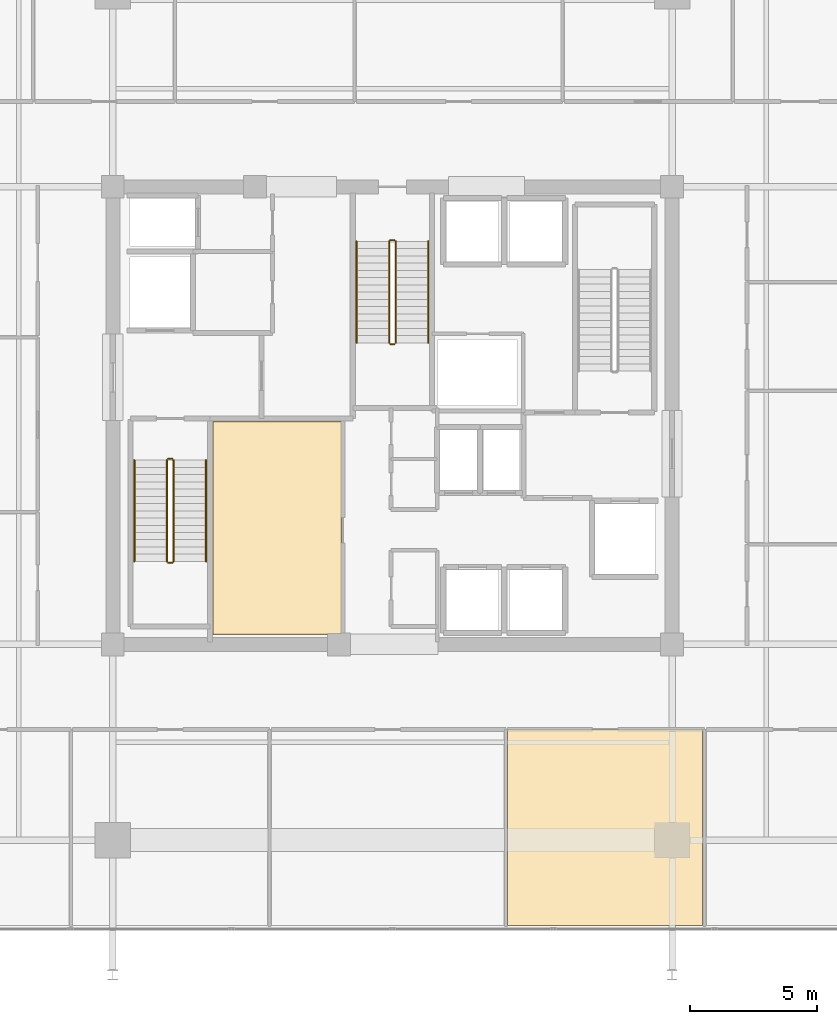
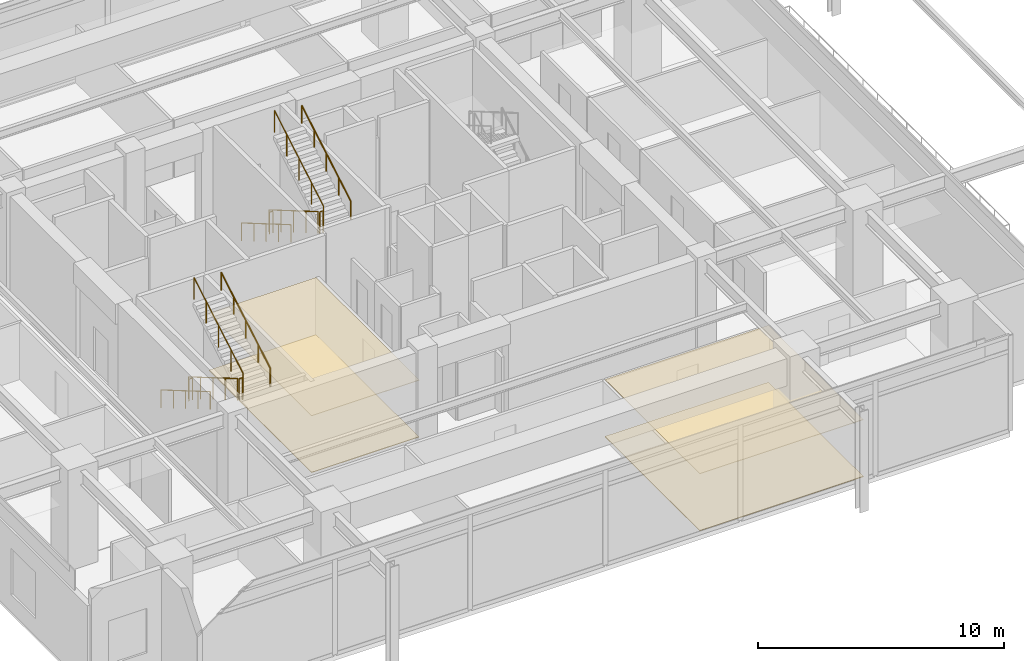
# One storey, part 17 of 19: 12 railings, 4 coverings.
"""IFC4 building model written with IfcOpenShell, lengths in metres."""

from ifc_helpers import new_model, si_unit, direction, frame, origin, origin_2d, place, context, subcontext, project, spatial, polyline, circle, outline, extrude, material, layer, layer_set, type_object, element, save


model = new_model("IFC4")

# Units and contexts
model_context = context("Model", 3, precision=1e-05, world=origin(), true_north=direction((0.0, 1.0)))
body_context = subcontext(model_context, "Body", "Model", "MODEL_VIEW")
ifc_project = project(units=[si_unit("LENGTHUNIT", "METRE"), si_unit("AREAUNIT", "SQUARE_METRE"), si_unit("VOLUMEUNIT", "CUBIC_METRE"), si_unit("PLANEANGLEUNIT", "RADIAN"), si_unit("MASSUNIT", "GRAM", prefix="KILO")], contexts=[model_context])

# Site, building, storey
site_placement = place(None, origin())
site = spatial("IfcSite", under=ifc_project, at=site_placement, CompositionType="ELEMENT")
building_placement = place(site_placement, origin())
building = spatial("IfcBuilding", under=site, at=building_placement, Name="Kovane Verandah Tower", CompositionType="ELEMENT")
storey_placement = place(building_placement, frame((0.0, 0.0, 200.199951171875)))
storey = spatial("IfcBuildingStorey", under=building, at=storey_placement, Name="L46", CompositionType="ELEMENT", Elevation=200.199951171875)

# Coverings
ifc_material_1 = material(Name="Perforated Acoustic Mineral-Fibre Ceiling Tile", Category="gypsum")
ifc_layer_1 = layer(ifc_material_1, 0.02490234375)
ifc_layer_set_1 = layer_set([ifc_layer_1], Name="Perforated Acoustic Mineral-Fibre Ceiling Tile")
covering_type_1 = type_object("IfcCoveringType", Name="CV-CEIL-25", PredefinedType="CEILING", material=ifc_layer_set_1)
covering_1_placement = place(storey_placement, frame((0.0, 0.0, 2.824951171875)))
element("IfcCovering", 1, at=covering_1_placement, inside=storey, type_object=covering_type_1, Name="L46 Tenant Wellness and Archive Suite Acoustic Ceiling", PredefinedType="CEILING", context=body_context, shape_type="SweptSolid", body=[
    extrude(outline(polyline([(32.93505859375, 18.885009765625), (37.9951171875, 18.885009765625), (37.9951171875, 27.264892578125), (32.93505859375, 27.264892578125), (32.93505859375, 18.885009765625)])), origin(), (0.0, 0.0, 1.0), 0.025146484375),
])
covering_2_placement = place(storey_placement, frame((0.0, 0.0, 2.824951171875)))
element("IfcCovering", 2, at=covering_2_placement, inside=storey, type_object=covering_type_1, Name="L46 Collaboration Hub S4 Acoustic Ceiling", PredefinedType="CEILING", context=body_context, shape_type="SweptSolid", body=[
    extrude(outline(polyline([(44.533935546875, 7.449951171875), (52.2060546875, 7.449951171875), (52.2060546875, 15.14990234375), (44.533935546875, 15.14990234375), (44.533935546875, 7.449951171875)])), origin(), (0.0, 0.0, 1.0), 0.025146484375),
])
ifc_material_2 = material(Name="Polished Terrazzo and Raised-Access Carpet Tile Finish", Category="concrete")
ifc_layer_2 = layer(ifc_material_2, 0.030029296875)
ifc_layer_set_2 = layer_set([ifc_layer_2], Name="Polished Terrazzo and Raised-Access Carpet Tile Finish")
covering_type_2 = type_object("IfcCoveringType", Name="CV-FLOR-30", PredefinedType="FLOORING", material=ifc_layer_set_2)
covering_3_placement = place(storey_placement, origin())
element("IfcCovering", 3, at=covering_3_placement, inside=storey, type_object=covering_type_2, Name="L46 Tenant Wellness and Archive Suite Floor Finish", PredefinedType="FLOORING", context=body_context, shape_type="SweptSolid", body=[
    extrude(outline(polyline([(32.949951171875, 18.89990234375), (37.97998046875, 18.89990234375), (37.97998046875, 27.25), (32.949951171875, 27.25), (32.949951171875, 18.89990234375)])), origin(), (0.0, 0.0, 1.0), 0.030029296875),
])
covering_4_placement = place(storey_placement, origin())
element("IfcCovering", 4, at=covering_4_placement, inside=storey, type_object=covering_type_2, Name="L46 Collaboration Hub S4 Floor Finish", PredefinedType="FLOORING", context=body_context, shape_type="SweptSolid", body=[
    extrude(outline(polyline([(44.533935546875, 7.449951171875), (52.2060546875, 7.449951171875), (52.2060546875, 15.14990234375), (44.533935546875, 15.14990234375), (44.533935546875, 7.449951171875)])), origin(), (0.0, 0.0, 1.0), 0.030029296875),
])

# Railings
ifc_material_3 = material(Name="Brushed Stainless Steel Handrail", Category="steel")
railing_type_1 = type_object("IfcRailingType", Name="RL-HAND-920", PredefinedType="HANDRAIL", material=ifc_material_3)
railing_1_placement = place(storey_placement, frame((29.85009765625, 25.75, 0.166748046875)))
element("IfcRailing", 5, at=railing_1_placement, inside=storey, type_object=railing_type_1, Name="L46 ST-01 stair handrail 1", PredefinedType="HANDRAIL", context=body_context, shape_type="SweptSolid", body=[
    extrude(circle(Radius=0.02392578125, at=origin_2d()), frame((0.0, 0.0, 0.8759765625), z_axis=(0.0, -0.863236243904, 0.504800145811), x_axis=(1.0, 0.0, 0.0)), (0.0, 0.0, 1.0), 4.6220703125),
    extrude(circle(Radius=0.02099609375, at=origin_2d()), origin(), (0.0, 0.0, 1.0), 0.851806640625),
    extrude(circle(Radius=0.02099609375, at=origin_2d()), frame((0.0, -0.99755859375, 0.583251953125)), (0.0, 0.0, 1.0), 0.851806640625),
    extrude(circle(Radius=0.02099609375, at=origin_2d()), frame((0.0, -1.9951171875, 1.16650390625)), (0.0, 0.0, 1.0), 0.851806640625),
    extrude(circle(Radius=0.02099609375, at=origin_2d()), frame((0.0, -2.992431640625, 1.75)), (0.0, 0.0, 1.0), 0.851806640625),
    extrude(circle(Radius=0.02099609375, at=origin_2d()), frame((0.0, -3.989990234375, 2.333251953125)), (0.0, 0.0, 1.0), 0.851806640625),
])
railing_2_placement = place(storey_placement, frame((32.669921875, 21.760009765625, 2.666748046875)))
element("IfcRailing", 6, at=railing_2_placement, inside=storey, type_object=railing_type_1, Name="L46 ST-01 stair handrail 2", PredefinedType="HANDRAIL", context=body_context, shape_type="SweptSolid", body=[
    extrude(circle(Radius=0.02392578125, at=origin_2d()), frame((0.0, 0.0, 0.8759765625), z_axis=(0.0, 0.863236243904, 0.504800145811), x_axis=(-1.0, 0.0, 0.0)), (0.0, 0.0, 1.0), 4.6220703125),
    extrude(circle(Radius=0.02099609375, at=origin_2d()), origin(), (0.0, 0.0, 1.0), 0.851806640625),
    extrude(circle(Radius=0.02099609375, at=origin_2d()), frame((0.0, 0.99755859375, 0.583251953125)), (0.0, 0.0, 1.0), 0.851806640625),
    extrude(circle(Radius=0.02099609375, at=origin_2d()), frame((0.0, 1.9951171875, 1.16650390625)), (0.0, 0.0, 1.0), 0.851806640625),
    extrude(circle(Radius=0.02099609375, at=origin_2d()), frame((0.0, 2.992431640625, 1.75)), (0.0, 0.0, 1.0), 0.851806640625),
    extrude(circle(Radius=0.02099609375, at=origin_2d()), frame((0.0, 3.989990234375, 2.333251953125)), (0.0, 0.0, 1.0), 0.851806640625),
])
railing_3_placement = place(storey_placement, frame((38.590087890625, 34.35009765625, 0.166748046875)))
element("IfcRailing", 7, at=railing_3_placement, inside=storey, type_object=railing_type_1, Name="L46 ST-03 stair handrail 1", PredefinedType="HANDRAIL", context=body_context, shape_type="SweptSolid", body=[
    extrude(circle(Radius=0.02392578125, at=origin_2d()), frame((0.0, 0.0, 0.8759765625), z_axis=(0.0, -0.863236243904, 0.504800145811), x_axis=(1.0, 0.0, 0.0)), (0.0, 0.0, 1.0), 4.6220703125),
    extrude(circle(Radius=0.02099609375, at=origin_2d()), origin(), (0.0, 0.0, 1.0), 0.851806640625),
    extrude(circle(Radius=0.02099609375, at=origin_2d()), frame((0.0, -0.99755859375, 0.583251953125)), (0.0, 0.0, 1.0), 0.851806640625),
    extrude(circle(Radius=0.02099609375, at=origin_2d()), frame((0.0, -1.9951171875, 1.16650390625)), (0.0, 0.0, 1.0), 0.851806640625),
    extrude(circle(Radius=0.02099609375, at=origin_2d()), frame((0.0, -2.992431640625, 1.75)), (0.0, 0.0, 1.0), 0.851806640625),
    extrude(circle(Radius=0.02099609375, at=origin_2d()), frame((0.0, -3.989990234375, 2.333251953125)), (0.0, 0.0, 1.0), 0.851806640625),
])
railing_4_placement = place(storey_placement, frame((41.409912109375, 30.360107421875, 2.666748046875)))
element("IfcRailing", 8, at=railing_4_placement, inside=storey, type_object=railing_type_1, Name="L46 ST-03 stair handrail 2", PredefinedType="HANDRAIL", context=body_context, shape_type="SweptSolid", body=[
    extrude(circle(Radius=0.02392578125, at=origin_2d()), frame((0.0, 0.0, 0.8759765625), z_axis=(0.0, 0.863236243904, 0.504800145811), x_axis=(-1.0, 0.0, 0.0)), (0.0, 0.0, 1.0), 4.6220703125),
    extrude(circle(Radius=0.02099609375, at=origin_2d()), origin(), (0.0, 0.0, 1.0), 0.851806640625),
    extrude(circle(Radius=0.02099609375, at=origin_2d()), frame((0.0, 0.99755859375, 0.583251953125)), (0.0, 0.0, 1.0), 0.851806640625),
    extrude(circle(Radius=0.02099609375, at=origin_2d()), frame((0.0, 1.9951171875, 1.16650390625)), (0.0, 0.0, 1.0), 0.851806640625),
    extrude(circle(Radius=0.02099609375, at=origin_2d()), frame((0.0, 2.992431640625, 1.75)), (0.0, 0.0, 1.0), 0.851806640625),
    extrude(circle(Radius=0.02099609375, at=origin_2d()), frame((0.0, 3.989990234375, 2.333251953125)), (0.0, 0.0, 1.0), 0.851806640625),
])
ifc_material_4 = material(Name="Painted Steel Stairwell Guardrail", Category="steel")
railing_type_2 = type_object("IfcRailingType", Name="RL-STGUARD-1120", PredefinedType="GUARDRAIL", material=ifc_material_4)
railing_5_placement = place(storey_placement, frame((31.1298828125, 25.75, 0.166748046875)))
element("IfcRailing", 9, at=railing_5_placement, inside=storey, type_object=railing_type_2, Name="L46 ST-01 stair guard 1", PredefinedType="GUARDRAIL", context=body_context, shape_type="SweptSolid", body=[
    extrude(circle(Radius=0.02392578125, at=origin_2d()), frame((0.0, 0.0, 1.076171875), z_axis=(0.0, -0.863236243904, 0.504800145811), x_axis=(1.0, 0.0, 0.0)), (0.0, 0.0, 1.0), 4.6220703125),
    extrude(circle(Radius=0.02099609375, at=origin_2d()), origin(), (0.0, 0.0, 1.0), 1.052001953125),
    extrude(circle(Radius=0.02099609375, at=origin_2d()), frame((0.0, -0.99755859375, 0.583251953125)), (0.0, 0.0, 1.0), 1.052001953125),
    extrude(circle(Radius=0.02099609375, at=origin_2d()), frame((0.0, -1.9951171875, 1.16650390625)), (0.0, 0.0, 1.0), 1.052001953125),
    extrude(circle(Radius=0.02099609375, at=origin_2d()), frame((0.0, -2.992431640625, 1.75)), (0.0, 0.0, 1.0), 1.052001953125),
    extrude(circle(Radius=0.02099609375, at=origin_2d()), frame((0.0, -3.989990234375, 2.333251953125)), (0.0, 0.0, 1.0), 1.052001953125),
])
railing_6_placement = place(storey_placement, frame((31.179931640625, 21.7099609375, 2.5)))
element("IfcRailing", 10, at=railing_6_placement, inside=storey, type_object=railing_type_2, Name="L46 ST-01 stair guard 2", PredefinedType="GUARDRAIL", context=body_context, shape_type="SweptSolid", body=[
    extrude(circle(Radius=0.02392578125, at=origin_2d()), frame((0.0, 0.0, 1.076171875), z_axis=(1.0, 0.0, 0.0), x_axis=(0.0, 1.0, 0.0)), (0.0, 0.0, 1.0), 0.16015625),
    extrude(circle(Radius=0.02099609375, at=origin_2d()), origin(), (0.0, 0.0, 1.0), 1.052001953125),
    extrude(circle(Radius=0.02099609375, at=origin_2d()), frame((0.16015625, 0.0, 0.0)), (0.0, 0.0, 1.0), 1.052001953125),
])
railing_7_placement = place(storey_placement, frame((31.389892578125, 21.760009765625, 2.666748046875)))
element("IfcRailing", 11, at=railing_7_placement, inside=storey, type_object=railing_type_2, Name="L46 ST-01 stair guard 3", PredefinedType="GUARDRAIL", context=body_context, shape_type="SweptSolid", body=[
    extrude(circle(Radius=0.02392578125, at=origin_2d()), frame((0.0, 0.0, 1.076171875), z_axis=(0.0, 0.863236243904, 0.504800145811), x_axis=(-1.0, 0.0, 0.0)), (0.0, 0.0, 1.0), 4.6220703125),
    extrude(circle(Radius=0.02099609375, at=origin_2d()), origin(), (0.0, 0.0, 1.0), 1.052001953125),
    extrude(circle(Radius=0.02099609375, at=origin_2d()), frame((0.0, 0.99755859375, 0.583251953125)), (0.0, 0.0, 1.0), 1.052001953125),
    extrude(circle(Radius=0.02099609375, at=origin_2d()), frame((0.0, 1.9951171875, 1.16650390625)), (0.0, 0.0, 1.0), 1.052001953125),
    extrude(circle(Radius=0.02099609375, at=origin_2d()), frame((0.0, 2.992431640625, 1.75)), (0.0, 0.0, 1.0), 1.052001953125),
    extrude(circle(Radius=0.02099609375, at=origin_2d()), frame((0.0, 3.989990234375, 2.333251953125)), (0.0, 0.0, 1.0), 1.052001953125),
])
railing_8_placement = place(storey_placement, frame((31.179931640625, 25.800048828125, 0.0)))
element("IfcRailing", 12, at=railing_8_placement, inside=storey, type_object=railing_type_2, Name="L46 ST-01 stair guard 4", PredefinedType="GUARDRAIL", context=body_context, shape_type="SweptSolid", body=[
    extrude(circle(Radius=0.02392578125, at=origin_2d()), frame((0.0, 0.0, 1.076171875), z_axis=(1.0, 0.0, 0.0), x_axis=(0.0, 1.0, 0.0)), (0.0, 0.0, 1.0), 0.16015625),
    extrude(circle(Radius=0.02099609375, at=origin_2d()), origin(), (0.0, 0.0, 1.0), 1.052001953125),
    extrude(circle(Radius=0.02099609375, at=origin_2d()), frame((0.16015625, 0.0, 0.0)), (0.0, 0.0, 1.0), 1.052001953125),
])
railing_9_placement = place(storey_placement, frame((39.8701171875, 34.35009765625, 0.166748046875)))
element("IfcRailing", 13, at=railing_9_placement, inside=storey, type_object=railing_type_2, Name="L46 ST-03 stair guard 1", PredefinedType="GUARDRAIL", context=body_context, shape_type="SweptSolid", body=[
    extrude(circle(Radius=0.02392578125, at=origin_2d()), frame((0.0, 0.0, 1.076171875), z_axis=(0.0, -0.863236243904, 0.504800145811), x_axis=(1.0, 0.0, 0.0)), (0.0, 0.0, 1.0), 4.6220703125),
    extrude(circle(Radius=0.02099609375, at=origin_2d()), origin(), (0.0, 0.0, 1.0), 1.052001953125),
    extrude(circle(Radius=0.02099609375, at=origin_2d()), frame((0.0, -0.99755859375, 0.583251953125)), (0.0, 0.0, 1.0), 1.052001953125),
    extrude(circle(Radius=0.02099609375, at=origin_2d()), frame((0.0, -1.9951171875, 1.16650390625)), (0.0, 0.0, 1.0), 1.052001953125),
    extrude(circle(Radius=0.02099609375, at=origin_2d()), frame((0.0, -2.992431640625, 1.75)), (0.0, 0.0, 1.0), 1.052001953125),
    extrude(circle(Radius=0.02099609375, at=origin_2d()), frame((0.0, -3.989990234375, 2.333251953125)), (0.0, 0.0, 1.0), 1.052001953125),
])
railing_10_placement = place(storey_placement, frame((39.919921875, 30.31005859375, 2.5)))
element("IfcRailing", 14, at=railing_10_placement, inside=storey, type_object=railing_type_2, Name="L46 ST-03 stair guard 2", PredefinedType="GUARDRAIL", context=body_context, shape_type="SweptSolid", body=[
    extrude(circle(Radius=0.02392578125, at=origin_2d()), frame((0.0, 0.0, 1.076171875), z_axis=(1.0, 0.0, 0.0), x_axis=(0.0, 1.0, 0.0)), (0.0, 0.0, 1.0), 0.16015625),
    extrude(circle(Radius=0.02099609375, at=origin_2d()), origin(), (0.0, 0.0, 1.0), 1.052001953125),
    extrude(circle(Radius=0.02099609375, at=origin_2d()), frame((0.16015625, 0.0, 0.0)), (0.0, 0.0, 1.0), 1.052001953125),
])
railing_11_placement = place(storey_placement, frame((40.1298828125, 30.360107421875, 2.666748046875)))
element("IfcRailing", 15, at=railing_11_placement, inside=storey, type_object=railing_type_2, Name="L46 ST-03 stair guard 3", PredefinedType="GUARDRAIL", context=body_context, shape_type="SweptSolid", body=[
    extrude(circle(Radius=0.02392578125, at=origin_2d()), frame((0.0, 0.0, 1.076171875), z_axis=(0.0, 0.863236243904, 0.504800145811), x_axis=(-1.0, 0.0, 0.0)), (0.0, 0.0, 1.0), 4.6220703125),
    extrude(circle(Radius=0.02099609375, at=origin_2d()), origin(), (0.0, 0.0, 1.0), 1.052001953125),
    extrude(circle(Radius=0.02099609375, at=origin_2d()), frame((0.0, 0.99755859375, 0.583251953125)), (0.0, 0.0, 1.0), 1.052001953125),
    extrude(circle(Radius=0.02099609375, at=origin_2d()), frame((0.0, 1.9951171875, 1.16650390625)), (0.0, 0.0, 1.0), 1.052001953125),
    extrude(circle(Radius=0.02099609375, at=origin_2d()), frame((0.0, 2.992431640625, 1.75)), (0.0, 0.0, 1.0), 1.052001953125),
    extrude(circle(Radius=0.02099609375, at=origin_2d()), frame((0.0, 3.989990234375, 2.333251953125)), (0.0, 0.0, 1.0), 1.052001953125),
])
railing_12_placement = place(storey_placement, frame((39.919921875, 34.39990234375, 0.0)))
element("IfcRailing", 16, at=railing_12_placement, inside=storey, type_object=railing_type_2, Name="L46 ST-03 stair guard 4", PredefinedType="GUARDRAIL", context=body_context, shape_type="SweptSolid", body=[
    extrude(circle(Radius=0.02392578125, at=origin_2d()), frame((0.0, 0.0, 1.076171875), z_axis=(1.0, 0.0, 0.0), x_axis=(0.0, 1.0, 0.0)), (0.0, 0.0, 1.0), 0.16015625),
    extrude(circle(Radius=0.02099609375, at=origin_2d()), origin(), (0.0, 0.0, 1.0), 1.052001953125),
    extrude(circle(Radius=0.02099609375, at=origin_2d()), frame((0.16015625, 0.0, 0.0)), (0.0, 0.0, 1.0), 1.052001953125),
])

save(model, "model.ifc")
